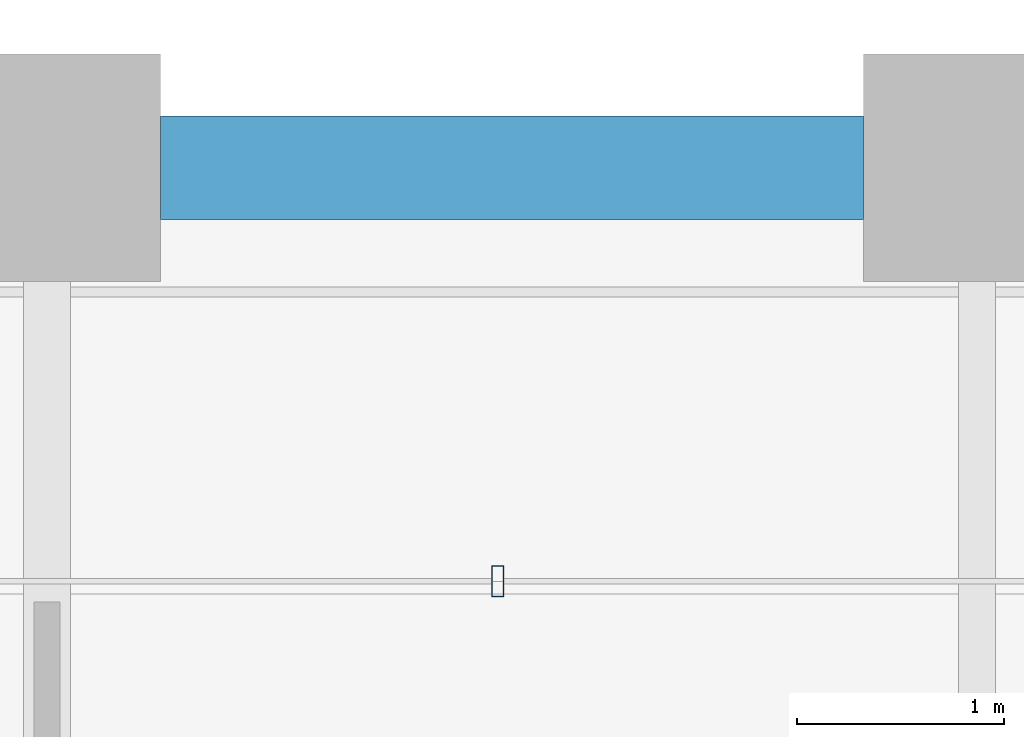
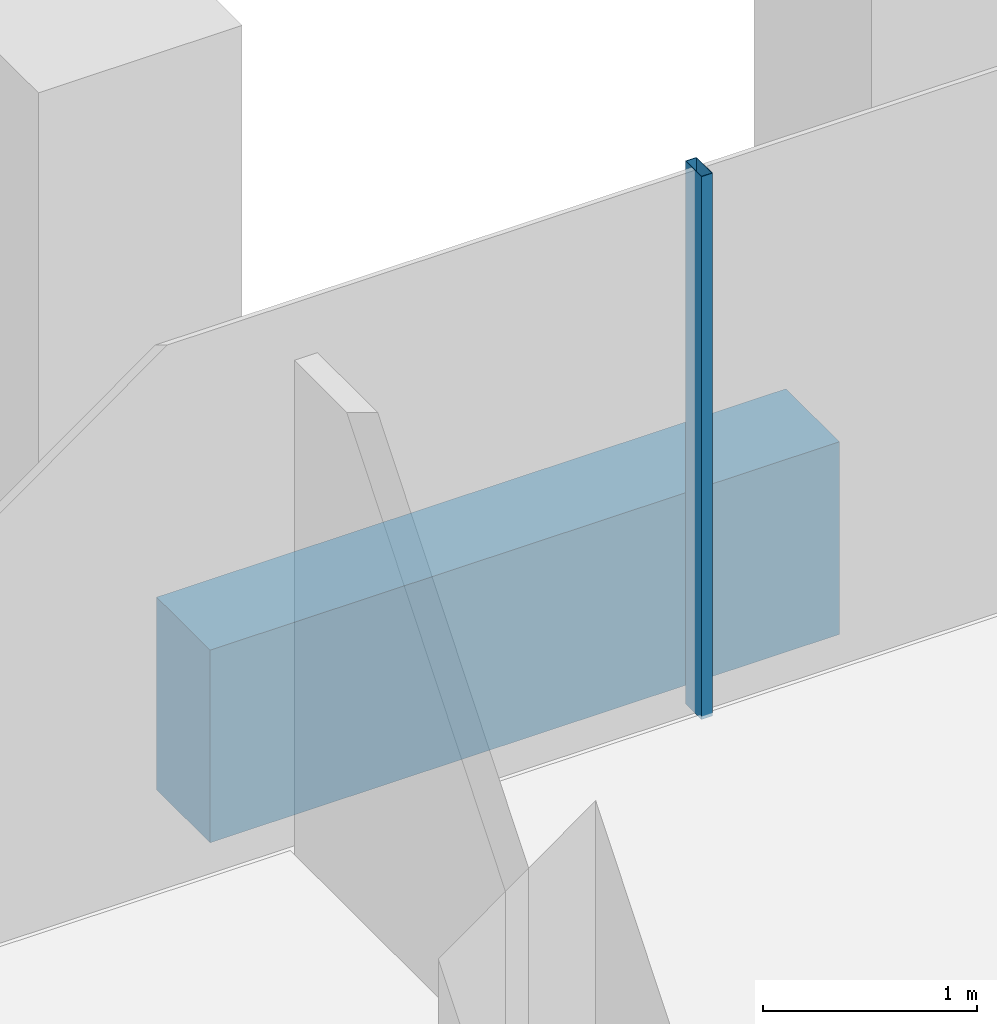
# One storey, part 42 of 56: 1 beam, 1 member, 1 element without a shape of its own.
"""IFC4 building model written with IfcOpenShell, lengths in metres."""

from ifc_helpers import new_model, si_unit, direction, frame, origin, origin_2d, place, context, subcontext, project, spatial, rectangle, hollow_rectangle, extrude, material, material_profile, profile_set, type_object, element, aggregate, save


model = new_model("IFC4")

# Units and contexts
model_context = context("Model", 3, precision=1e-05, world=origin(), true_north=direction((0.0, 1.0)))
body_context = subcontext(model_context, "Body", "Model", "MODEL_VIEW")
ifc_project = project(units=[si_unit("LENGTHUNIT", "METRE"), si_unit("AREAUNIT", "SQUARE_METRE"), si_unit("VOLUMEUNIT", "CUBIC_METRE"), si_unit("PLANEANGLEUNIT", "RADIAN"), si_unit("MASSUNIT", "GRAM", prefix="KILO")], contexts=[model_context])

# Site, building, storey
site_placement = place(None, origin())
site = spatial("IfcSite", under=ifc_project, at=site_placement, CompositionType="ELEMENT")
building_placement = place(site_placement, origin())
building = spatial("IfcBuilding", under=site, at=building_placement, Name="Altepetl Exchange Towers", CompositionType="ELEMENT")
storey_placement = place(building_placement, frame((0.0, 0.0, 69.0)))
storey = spatial("IfcBuildingStorey", under=building, at=storey_placement, Name="L16", CompositionType="ELEMENT", Elevation=69.0)

# Curtain wall, member
ifc_material_1 = material(Name="Aluminium 6063-T6 glazing", Category="aluminium")
curtain_wall_type = type_object("IfcCurtainWallType", Name="Loggia glazing system", PredefinedType="NOTDEFINED", material=ifc_material_1)
curtain_wall_placement = place(storey_placement, origin())
curtain_wall = element("IfcCurtainWall", 1, at=curtain_wall_placement, inside=storey, type_object=curtain_wall_type, Name="CW1 run", PredefinedType="NOTDEFINED")
ifc_material_2 = material(Name="Aluminium 6063-T6", Category="aluminium")
ifc_material_profile_1 = material_profile(ifc_material_2, hollow_rectangle(XDim=0.06005859375, YDim=0.14990234375, WallThickness=0.0029296875, at=origin_2d()), Name="Mullion 60x150 aluminium")
ifc_profile_set_1 = profile_set([ifc_material_profile_1], Name="Aluminium 6063-T6")
member_type = type_object("IfcMemberType", Name="Mullion 60x150 aluminium", PredefinedType="MULLION", material=ifc_profile_set_1)
member_placement = place(storey_placement, frame((105.68115234375, 56.5, 0.0), z_axis=(0.0, 0.0, 1.0), x_axis=(-1.0, 0.0, 0.0)))
member = element("IfcMember", 2, at=member_placement, type_object=member_type, Name="MU1 mullion", PredefinedType="MULLION", context=body_context, shape_type="SweptSolid", body=[
    extrude(hollow_rectangle(XDim=0.06005859375, YDim=0.14990234375, WallThickness=0.0029296875, at=origin_2d()), origin(), (0.0, 0.0, 1.0), 3.10009765625),
])
aggregate(curtain_wall, [member])

# Beam
ifc_material_3 = material(Name="Concrete C50/60 precast with cantera amarilla facing", Category="concrete")
ifc_material_profile_2 = material_profile(ifc_material_3, rectangle(XDim=0.5, YDim=1.10009765625, at=origin_2d()), Name="500 x 1100")
ifc_profile_set_2 = profile_set([ifc_material_profile_2], Name="Concrete C50/60 precast with cantera amarilla facing")
beam_type = type_object("IfcBeamType", Name="Spandrel beam 500x1100 cantera amarilla", PredefinedType="SPANDREL", material=ifc_profile_set_2)
beam_placement = place(storey_placement, frame((107.449951171875, 58.5, -0.699951171875), z_axis=(-1.0, 0.0, 0.0), x_axis=(0.0, -1.0, 0.0)))
element("IfcBeam", 3, at=beam_placement, inside=storey, type_object=beam_type, Name="sp:B:L16:021", PredefinedType="SPANDREL", context=body_context, shape_type="SweptSolid", body=[
    extrude(rectangle(XDim=0.5, YDim=1.10009765625, at=origin_2d()), origin(), (0.0, 0.0, 1.0), 3.39990234375),
])

save(model, "model.ifc")
